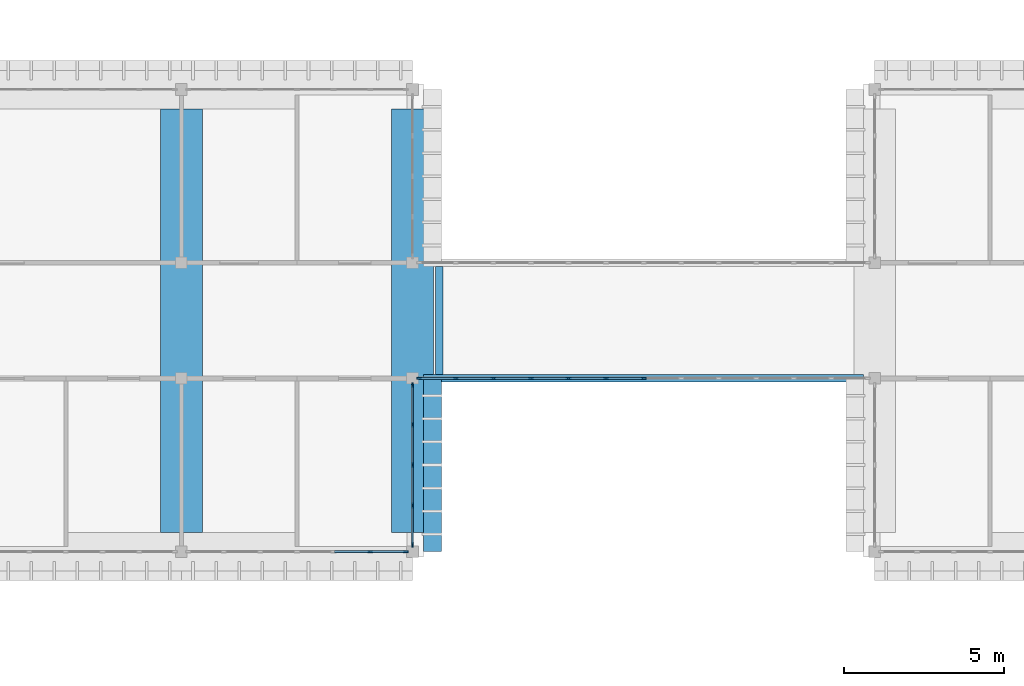
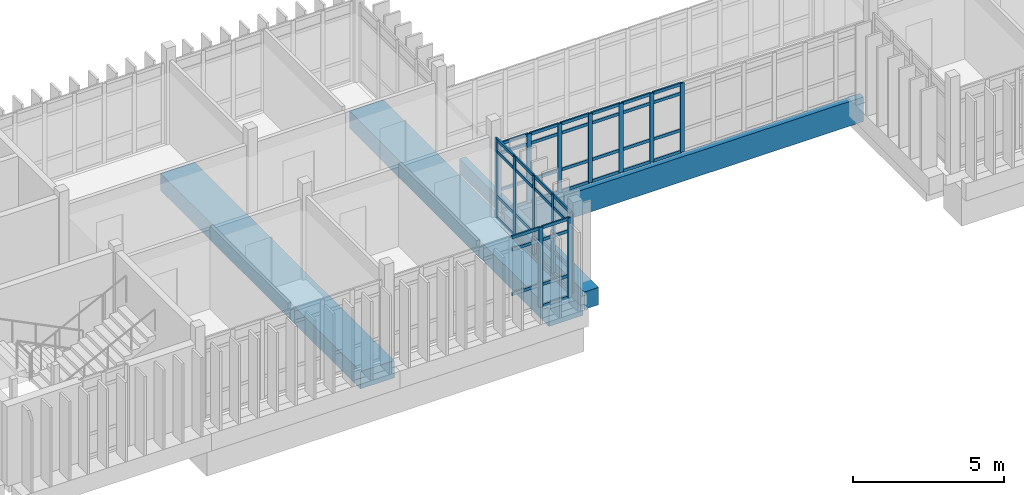
# One storey, part 12 of 69: 62 members, 4 beams, 3 elements without a shape of their own.
"""IFC4 building model written with IfcOpenShell, lengths in metres."""

from ifc_helpers import new_model, si_unit, direction, frame, origin, origin_2d, place, context, subcontext, project, spatial, rectangle, extrude, material, layer, layer_set, material_profile, profile_set, type_object, element, aggregate, save


model = new_model("IFC4")

# Units and contexts
model_context = context("Model", 3, precision=1e-05, world=origin(), true_north=direction((0.0, 1.0)))
body_context = subcontext(model_context, "Body", "Model", "MODEL_VIEW")
ifc_project = project(units=[si_unit("LENGTHUNIT", "METRE"), si_unit("AREAUNIT", "SQUARE_METRE"), si_unit("VOLUMEUNIT", "CUBIC_METRE"), si_unit("PLANEANGLEUNIT", "RADIAN"), si_unit("MASSUNIT", "GRAM", prefix="KILO")], contexts=[model_context])

# Site, building, storey
site_placement = place(None, origin())
site = spatial("IfcSite", under=ifc_project, at=site_placement, CompositionType="ELEMENT")
building_placement = place(site_placement, origin())
building = spatial("IfcBuilding", under=site, at=building_placement, Name="Mazhai Court Health Centre", CompositionType="ELEMENT")
storey_placement = place(building_placement, frame((0.0, 0.0, 6.300048828125)))
storey = spatial("IfcBuildingStorey", under=building, at=storey_placement, Name="L01", CompositionType="ELEMENT", Elevation=6.300048828125)

# Curtain wall, members
ifc_material_1 = material(Name="Teak timber frame, glazed", Category="wood")
ifc_layer = layer(ifc_material_1, 0.10009765625)
ifc_layer_set = layer_set([ifc_layer], Name="CURTAIN WALL TIMBER 1200")
curtain_wall_type = type_object("IfcCurtainWallType", Name="CURTAIN WALL TIMBER 1200", PredefinedType="NOTDEFINED", material=ifc_layer_set)
curtain_wall_1_placement = place(storey_placement, origin())
curtain_wall_1 = element("IfcCurtainWall", 1, at=curtain_wall_1_placement, inside=storey, type_object=curtain_wall_type, Name="CW-V4-L01-A2", PredefinedType="NOTDEFINED")
ifc_material_2 = material(Name="Teak timber", Category="wood")
ifc_material_profile_1 = material_profile(ifc_material_2, rectangle(XDim=0.06005859375, YDim=0.159912109375, at=origin_2d()), Name="CW MULLION 60x160")
ifc_profile_set_1 = profile_set([ifc_material_profile_1], Name="Teak timber")
member_type_1 = type_object("IfcMemberType", Name="CW MULLION 60x160", PredefinedType="MULLION", material=ifc_profile_set_1)
member_1_placement = place(storey_placement, frame((92.389892578125, 13.39990234375, 0.0), z_axis=(0.0, 0.0, 1.0), x_axis=(0.0, -1.0, 0.0)))
member_1 = element("IfcMember", 2, at=member_1_placement, type_object=member_type_1, Name="CW mullion 1", PredefinedType="MULLION", context=body_context, shape_type="SweptSolid", body=[
    extrude(rectangle(XDim=0.06005859375, YDim=0.159912109375, at=origin_2d()), origin(), (0.0, 0.0, 1.0), 3.219970703125),
])
member_2_placement = place(storey_placement, frame((91.280029296875, 13.39990234375, 0.0), z_axis=(0.0, 0.0, 1.0), x_axis=(0.0, -1.0, 0.0)))
member_2 = element("IfcMember", 3, at=member_2_placement, type_object=member_type_1, Name="CW mullion 2", PredefinedType="MULLION", context=body_context, shape_type="SweptSolid", body=[
    extrude(rectangle(XDim=0.06005859375, YDim=0.159912109375, at=origin_2d()), origin(), (0.0, 0.0, 1.0), 3.219970703125),
])

curtain_wall_2_placement = place(storey_placement, origin())
curtain_wall_2 = element("IfcCurtainWall", 4, at=curtain_wall_2_placement, inside=storey, type_object=curtain_wall_type, Name="CW-V4-L01-CE2-0", PredefinedType="NOTDEFINED")
member_3_placement = place(storey_placement, frame((92.60009765625, 18.590087890625, 0.0), z_axis=(0.0, 0.0, 1.0), x_axis=(1.0, 0.0, 0.0)))
member_3 = element("IfcMember", 5, at=member_3_placement, type_object=member_type_1, Name="CW mullion 1", PredefinedType="MULLION", context=body_context, shape_type="SweptSolid", body=[
    extrude(rectangle(XDim=0.06005859375, YDim=0.159912109375, at=origin_2d()), origin(), (0.0, 0.0, 1.0), 3.199951171875),
])
member_4_placement = place(storey_placement, frame((92.60009765625, 17.360107421875, 0.0), z_axis=(0.0, 0.0, 1.0), x_axis=(1.0, 0.0, 0.0)))
member_4 = element("IfcMember", 6, at=member_4_placement, type_object=member_type_1, Name="CW mullion 2", PredefinedType="MULLION", context=body_context, shape_type="SweptSolid", body=[
    extrude(rectangle(XDim=0.06005859375, YDim=0.159912109375, at=origin_2d()), origin(), (0.0, 0.0, 1.0), 3.199951171875),
])
member_5_placement = place(storey_placement, frame((92.60009765625, 16.10009765625, 0.0), z_axis=(0.0, 0.0, 1.0), x_axis=(1.0, 0.0, 0.0)))
member_5 = element("IfcMember", 7, at=member_5_placement, type_object=member_type_1, Name="CW mullion 3", PredefinedType="MULLION", context=body_context, shape_type="SweptSolid", body=[
    extrude(rectangle(XDim=0.06005859375, YDim=0.159912109375, at=origin_2d()), origin(), (0.0, 0.0, 1.0), 3.199951171875),
])
member_6_placement = place(storey_placement, frame((92.60009765625, 14.840087890625, 0.0), z_axis=(0.0, 0.0, 1.0), x_axis=(1.0, 0.0, 0.0)))
member_6 = element("IfcMember", 8, at=member_6_placement, type_object=member_type_1, Name="CW mullion 4", PredefinedType="MULLION", context=body_context, shape_type="SweptSolid", body=[
    extrude(rectangle(XDim=0.06005859375, YDim=0.159912109375, at=origin_2d()), origin(), (0.0, 0.0, 1.0), 3.199951171875),
])
member_7_placement = place(storey_placement, frame((92.60009765625, 13.610107421875, 0.0), z_axis=(0.0, 0.0, 1.0), x_axis=(1.0, 0.0, 0.0)))
member_7 = element("IfcMember", 9, at=member_7_placement, type_object=member_type_1, Name="CW mullion 5", PredefinedType="MULLION", context=body_context, shape_type="SweptSolid", body=[
    extrude(rectangle(XDim=0.06005859375, YDim=0.159912109375, at=origin_2d()), origin(), (0.0, 0.0, 1.0), 3.199951171875),
])

curtain_wall_3_placement = place(storey_placement, origin())
curtain_wall_3 = element("IfcCurtainWall", 10, at=curtain_wall_3_placement, inside=storey, type_object=curtain_wall_type, Name="CW-BR-LC1-S", PredefinedType="NOTDEFINED")
member_8_placement = place(storey_placement, frame((92.81005859375, 18.800048828125, 0.0), z_axis=(0.0, 0.0, 1.0), x_axis=(0.0, 1.0, 0.0)))
member_8 = element("IfcMember", 11, at=member_8_placement, type_object=member_type_1, Name="CW mullion 1", PredefinedType="MULLION", context=body_context, shape_type="SweptSolid", body=[
    extrude(rectangle(XDim=0.06005859375, YDim=0.159912109375, at=origin_2d()), origin(), (0.0, 0.0, 1.0), 2.780029296875),
])
member_9_placement = place(storey_placement, frame((93.949951171875, 18.800048828125, 0.0), z_axis=(0.0, 0.0, 1.0), x_axis=(0.0, 1.0, 0.0)))
member_9 = element("IfcMember", 12, at=member_9_placement, type_object=member_type_1, Name="CW mullion 2", PredefinedType="MULLION", context=body_context, shape_type="SweptSolid", body=[
    extrude(rectangle(XDim=0.06005859375, YDim=0.159912109375, at=origin_2d()), origin(), (0.0, 0.0, 1.0), 2.780029296875),
])
member_10_placement = place(storey_placement, frame((95.1201171875, 18.800048828125, 0.0), z_axis=(0.0, 0.0, 1.0), x_axis=(0.0, 1.0, 0.0)))
member_10 = element("IfcMember", 13, at=member_10_placement, type_object=member_type_1, Name="CW mullion 3", PredefinedType="MULLION", context=body_context, shape_type="SweptSolid", body=[
    extrude(rectangle(XDim=0.06005859375, YDim=0.159912109375, at=origin_2d()), origin(), (0.0, 0.0, 1.0), 2.780029296875),
])
member_11_placement = place(storey_placement, frame((96.2900390625, 18.800048828125, 0.0), z_axis=(0.0, 0.0, 1.0), x_axis=(0.0, 1.0, 0.0)))
member_11 = element("IfcMember", 14, at=member_11_placement, type_object=member_type_1, Name="CW mullion 4", PredefinedType="MULLION", context=body_context, shape_type="SweptSolid", body=[
    extrude(rectangle(XDim=0.06005859375, YDim=0.159912109375, at=origin_2d()), origin(), (0.0, 0.0, 1.0), 2.780029296875),
])
member_12_placement = place(storey_placement, frame((97.4599609375, 18.800048828125, 0.0), z_axis=(0.0, 0.0, 1.0), x_axis=(0.0, 1.0, 0.0)))
member_12 = element("IfcMember", 15, at=member_12_placement, type_object=member_type_1, Name="CW mullion 5", PredefinedType="MULLION", context=body_context, shape_type="SweptSolid", body=[
    extrude(rectangle(XDim=0.06005859375, YDim=0.159912109375, at=origin_2d()), origin(), (0.0, 0.0, 1.0), 2.780029296875),
])
member_13_placement = place(storey_placement, frame((98.6298828125, 18.800048828125, 0.0), z_axis=(0.0, 0.0, 1.0), x_axis=(0.0, 1.0, 0.0)))
member_13 = element("IfcMember", 16, at=member_13_placement, type_object=member_type_1, Name="CW mullion 6", PredefinedType="MULLION", context=body_context, shape_type="SweptSolid", body=[
    extrude(rectangle(XDim=0.06005859375, YDim=0.159912109375, at=origin_2d()), origin(), (0.0, 0.0, 1.0), 2.780029296875),
])
member_14_placement = place(storey_placement, frame((99.800048828125, 18.800048828125, 0.0), z_axis=(0.0, 0.0, 1.0), x_axis=(0.0, 1.0, 0.0)))
member_14 = element("IfcMember", 17, at=member_14_placement, type_object=member_type_1, Name="CW mullion 7", PredefinedType="MULLION", context=body_context, shape_type="SweptSolid", body=[
    extrude(rectangle(XDim=0.06005859375, YDim=0.159912109375, at=origin_2d()), origin(), (0.0, 0.0, 1.0), 2.780029296875),
])

# Member
ifc_material_3 = material(Name="Teak timber", Category="wood")
ifc_material_profile_2 = material_profile(ifc_material_3, rectangle(XDim=0.06005859375, YDim=0.1201171875, at=origin_2d()), Name="CW TRANSOM 60x120")
ifc_profile_set_2 = profile_set([ifc_material_profile_2], Name="Teak timber")
member_type_2 = type_object("IfcMemberType", Name="CW TRANSOM 60x120", PredefinedType="USERDEFINED", material=ifc_profile_set_2)
member_15_placement = place(storey_placement, frame((92.360107421875, 13.39990234375, 0.030029296875), z_axis=(-1.0, 0.0, 0.0), x_axis=(0.0, -1.0, 0.0)))
member_15 = element("IfcMember", 18, at=member_15_placement, type_object=member_type_2, Name="CW transom 1.1", ObjectType="TRANSOM", PredefinedType="USERDEFINED", context=body_context, shape_type="SweptSolid", body=[
    extrude(rectangle(XDim=0.06005859375, YDim=0.1201171875, at=origin_2d()), origin(), (0.0, 0.0, 1.0), 1.050048828125),
])

member_16_placement = place(storey_placement, frame((92.360107421875, 13.39990234375, 0.89990234375), z_axis=(-1.0, 0.0, 0.0), x_axis=(0.0, -1.0, 0.0)))
member_16 = element("IfcMember", 19, at=member_16_placement, type_object=member_type_2, Name="CW transom 1.2", ObjectType="TRANSOM", PredefinedType="USERDEFINED", context=body_context, shape_type="SweptSolid", body=[
    extrude(rectangle(XDim=0.06005859375, YDim=0.1201171875, at=origin_2d()), origin(), (0.0, 0.0, 1.0), 1.050048828125),
])

member_17_placement = place(storey_placement, frame((92.360107421875, 13.39990234375, 2.699951171875), z_axis=(-1.0, 0.0, 0.0), x_axis=(0.0, -1.0, 0.0)))
member_17 = element("IfcMember", 20, at=member_17_placement, type_object=member_type_2, Name="CW transom 1.3", ObjectType="TRANSOM", PredefinedType="USERDEFINED", context=body_context, shape_type="SweptSolid", body=[
    extrude(rectangle(XDim=0.06005859375, YDim=0.1201171875, at=origin_2d()), origin(), (0.0, 0.0, 1.0), 1.050048828125),
])

member_18_placement = place(storey_placement, frame((92.360107421875, 13.39990234375, 3.18994140625), z_axis=(-1.0, 0.0, 0.0), x_axis=(0.0, -1.0, 0.0)))
member_18 = element("IfcMember", 21, at=member_18_placement, type_object=member_type_2, Name="CW transom 1.4", ObjectType="TRANSOM", PredefinedType="USERDEFINED", context=body_context, shape_type="SweptSolid", body=[
    extrude(rectangle(XDim=0.06005859375, YDim=0.1201171875, at=origin_2d()), origin(), (0.0, 0.0, 1.0), 1.050048828125),
])

member_19_placement = place(storey_placement, frame((91.25, 13.39990234375, 0.89990234375), z_axis=(-1.0, 0.0, 0.0), x_axis=(0.0, -1.0, 0.0)))
member_19 = element("IfcMember", 22, at=member_19_placement, type_object=member_type_2, Name="CW transom 2.2", ObjectType="TRANSOM", PredefinedType="USERDEFINED", context=body_context, shape_type="SweptSolid", body=[
    extrude(rectangle(XDim=0.06005859375, YDim=0.1201171875, at=origin_2d()), origin(), (0.0, 0.0, 1.0), 1.080078125),
])

member_20_placement = place(storey_placement, frame((91.25, 13.39990234375, 2.699951171875), z_axis=(-1.0, 0.0, 0.0), x_axis=(0.0, -1.0, 0.0)))
member_20 = element("IfcMember", 23, at=member_20_placement, type_object=member_type_2, Name="CW transom 2.3", ObjectType="TRANSOM", PredefinedType="USERDEFINED", context=body_context, shape_type="SweptSolid", body=[
    extrude(rectangle(XDim=0.06005859375, YDim=0.1201171875, at=origin_2d()), origin(), (0.0, 0.0, 1.0), 1.080078125),
])

member_21_placement = place(storey_placement, frame((91.25, 13.39990234375, 3.18994140625), z_axis=(-1.0, 0.0, 0.0), x_axis=(0.0, -1.0, 0.0)))
member_21 = element("IfcMember", 24, at=member_21_placement, type_object=member_type_2, Name="CW transom 2.4", ObjectType="TRANSOM", PredefinedType="USERDEFINED", context=body_context, shape_type="SweptSolid", body=[
    extrude(rectangle(XDim=0.06005859375, YDim=0.1201171875, at=origin_2d()), origin(), (0.0, 0.0, 1.0), 1.080078125),
])

aggregate(curtain_wall_1, [member_1, member_2, member_15, member_16, member_17, member_18, member_19, member_20, member_21])

member_22_placement = place(storey_placement, frame((92.60009765625, 18.56005859375, 0.030029296875), z_axis=(0.0, -1.0, 0.0), x_axis=(1.0, 0.0, 0.0)))
member_22 = element("IfcMember", 25, at=member_22_placement, type_object=member_type_2, Name="CW transom 1.1", ObjectType="TRANSOM", PredefinedType="USERDEFINED", context=body_context, shape_type="SweptSolid", body=[
    extrude(rectangle(XDim=0.06005859375, YDim=0.1201171875, at=origin_2d()), origin(), (0.0, 0.0, 1.0), 1.170166015625),
])

member_23_placement = place(storey_placement, frame((92.60009765625, 18.56005859375, 0.89990234375), z_axis=(0.0, -1.0, 0.0), x_axis=(1.0, 0.0, 0.0)))
member_23 = element("IfcMember", 26, at=member_23_placement, type_object=member_type_2, Name="CW transom 1.2", ObjectType="TRANSOM", PredefinedType="USERDEFINED", context=body_context, shape_type="SweptSolid", body=[
    extrude(rectangle(XDim=0.06005859375, YDim=0.1201171875, at=origin_2d()), origin(), (0.0, 0.0, 1.0), 1.170166015625),
])

member_24_placement = place(storey_placement, frame((92.60009765625, 18.56005859375, 2.699951171875), z_axis=(0.0, -1.0, 0.0), x_axis=(1.0, 0.0, 0.0)))
member_24 = element("IfcMember", 27, at=member_24_placement, type_object=member_type_2, Name="CW transom 1.3", ObjectType="TRANSOM", PredefinedType="USERDEFINED", context=body_context, shape_type="SweptSolid", body=[
    extrude(rectangle(XDim=0.06005859375, YDim=0.1201171875, at=origin_2d()), origin(), (0.0, 0.0, 1.0), 1.170166015625),
])

member_25_placement = place(storey_placement, frame((92.60009765625, 18.56005859375, 3.169921875), z_axis=(0.0, -1.0, 0.0), x_axis=(1.0, 0.0, 0.0)))
member_25 = element("IfcMember", 28, at=member_25_placement, type_object=member_type_2, Name="CW transom 1.4", ObjectType="TRANSOM", PredefinedType="USERDEFINED", context=body_context, shape_type="SweptSolid", body=[
    extrude(rectangle(XDim=0.06005859375, YDim=0.1201171875, at=origin_2d()), origin(), (0.0, 0.0, 1.0), 1.170166015625),
])

member_26_placement = place(storey_placement, frame((92.60009765625, 17.330078125, 0.030029296875), z_axis=(0.0, -1.0, 0.0), x_axis=(1.0, 0.0, 0.0)))
member_26 = element("IfcMember", 29, at=member_26_placement, type_object=member_type_2, Name="CW transom 2.1", ObjectType="TRANSOM", PredefinedType="USERDEFINED", context=body_context, shape_type="SweptSolid", body=[
    extrude(rectangle(XDim=0.06005859375, YDim=0.1201171875, at=origin_2d()), origin(), (0.0, 0.0, 1.0), 1.2001953125),
])

member_27_placement = place(storey_placement, frame((92.60009765625, 17.330078125, 0.89990234375), z_axis=(0.0, -1.0, 0.0), x_axis=(1.0, 0.0, 0.0)))
member_27 = element("IfcMember", 30, at=member_27_placement, type_object=member_type_2, Name="CW transom 2.2", ObjectType="TRANSOM", PredefinedType="USERDEFINED", context=body_context, shape_type="SweptSolid", body=[
    extrude(rectangle(XDim=0.06005859375, YDim=0.1201171875, at=origin_2d()), origin(), (0.0, 0.0, 1.0), 1.2001953125),
])

member_28_placement = place(storey_placement, frame((92.60009765625, 17.330078125, 2.699951171875), z_axis=(0.0, -1.0, 0.0), x_axis=(1.0, 0.0, 0.0)))
member_28 = element("IfcMember", 31, at=member_28_placement, type_object=member_type_2, Name="CW transom 2.3", ObjectType="TRANSOM", PredefinedType="USERDEFINED", context=body_context, shape_type="SweptSolid", body=[
    extrude(rectangle(XDim=0.06005859375, YDim=0.1201171875, at=origin_2d()), origin(), (0.0, 0.0, 1.0), 1.2001953125),
])

member_29_placement = place(storey_placement, frame((92.60009765625, 17.330078125, 3.169921875), z_axis=(0.0, -1.0, 0.0), x_axis=(1.0, 0.0, 0.0)))
member_29 = element("IfcMember", 32, at=member_29_placement, type_object=member_type_2, Name="CW transom 2.4", ObjectType="TRANSOM", PredefinedType="USERDEFINED", context=body_context, shape_type="SweptSolid", body=[
    extrude(rectangle(XDim=0.06005859375, YDim=0.1201171875, at=origin_2d()), origin(), (0.0, 0.0, 1.0), 1.2001953125),
])

member_30_placement = place(storey_placement, frame((92.60009765625, 16.070068359375, 0.030029296875), z_axis=(0.0, -1.0, 0.0), x_axis=(1.0, 0.0, 0.0)))
member_30 = element("IfcMember", 33, at=member_30_placement, type_object=member_type_2, Name="CW transom 3.1", ObjectType="TRANSOM", PredefinedType="USERDEFINED", context=body_context, shape_type="SweptSolid", body=[
    extrude(rectangle(XDim=0.06005859375, YDim=0.1201171875, at=origin_2d()), origin(), (0.0, 0.0, 1.0), 1.199951171875),
])

member_31_placement = place(storey_placement, frame((92.60009765625, 16.070068359375, 0.89990234375), z_axis=(0.0, -1.0, 0.0), x_axis=(1.0, 0.0, 0.0)))
member_31 = element("IfcMember", 34, at=member_31_placement, type_object=member_type_2, Name="CW transom 3.2", ObjectType="TRANSOM", PredefinedType="USERDEFINED", context=body_context, shape_type="SweptSolid", body=[
    extrude(rectangle(XDim=0.06005859375, YDim=0.1201171875, at=origin_2d()), origin(), (0.0, 0.0, 1.0), 1.199951171875),
])

member_32_placement = place(storey_placement, frame((92.60009765625, 16.070068359375, 2.699951171875), z_axis=(0.0, -1.0, 0.0), x_axis=(1.0, 0.0, 0.0)))
member_32 = element("IfcMember", 35, at=member_32_placement, type_object=member_type_2, Name="CW transom 3.3", ObjectType="TRANSOM", PredefinedType="USERDEFINED", context=body_context, shape_type="SweptSolid", body=[
    extrude(rectangle(XDim=0.06005859375, YDim=0.1201171875, at=origin_2d()), origin(), (0.0, 0.0, 1.0), 1.199951171875),
])

member_33_placement = place(storey_placement, frame((92.60009765625, 16.070068359375, 3.169921875), z_axis=(0.0, -1.0, 0.0), x_axis=(1.0, 0.0, 0.0)))
member_33 = element("IfcMember", 36, at=member_33_placement, type_object=member_type_2, Name="CW transom 3.4", ObjectType="TRANSOM", PredefinedType="USERDEFINED", context=body_context, shape_type="SweptSolid", body=[
    extrude(rectangle(XDim=0.06005859375, YDim=0.1201171875, at=origin_2d()), origin(), (0.0, 0.0, 1.0), 1.199951171875),
])

member_34_placement = place(storey_placement, frame((92.60009765625, 14.81005859375, 0.030029296875), z_axis=(0.0, -1.0, 0.0), x_axis=(1.0, 0.0, 0.0)))
member_34 = element("IfcMember", 37, at=member_34_placement, type_object=member_type_2, Name="CW transom 4.1", ObjectType="TRANSOM", PredefinedType="USERDEFINED", context=body_context, shape_type="SweptSolid", body=[
    extrude(rectangle(XDim=0.06005859375, YDim=0.1201171875, at=origin_2d()), origin(), (0.0, 0.0, 1.0), 1.170166015625),
])

member_35_placement = place(storey_placement, frame((92.60009765625, 14.81005859375, 0.89990234375), z_axis=(0.0, -1.0, 0.0), x_axis=(1.0, 0.0, 0.0)))
member_35 = element("IfcMember", 38, at=member_35_placement, type_object=member_type_2, Name="CW transom 4.2", ObjectType="TRANSOM", PredefinedType="USERDEFINED", context=body_context, shape_type="SweptSolid", body=[
    extrude(rectangle(XDim=0.06005859375, YDim=0.1201171875, at=origin_2d()), origin(), (0.0, 0.0, 1.0), 1.170166015625),
])

member_36_placement = place(storey_placement, frame((92.60009765625, 14.81005859375, 2.699951171875), z_axis=(0.0, -1.0, 0.0), x_axis=(1.0, 0.0, 0.0)))
member_36 = element("IfcMember", 39, at=member_36_placement, type_object=member_type_2, Name="CW transom 4.3", ObjectType="TRANSOM", PredefinedType="USERDEFINED", context=body_context, shape_type="SweptSolid", body=[
    extrude(rectangle(XDim=0.06005859375, YDim=0.1201171875, at=origin_2d()), origin(), (0.0, 0.0, 1.0), 1.170166015625),
])

member_37_placement = place(storey_placement, frame((92.60009765625, 14.81005859375, 3.169921875), z_axis=(0.0, -1.0, 0.0), x_axis=(1.0, 0.0, 0.0)))
member_37 = element("IfcMember", 40, at=member_37_placement, type_object=member_type_2, Name="CW transom 4.4", ObjectType="TRANSOM", PredefinedType="USERDEFINED", context=body_context, shape_type="SweptSolid", body=[
    extrude(rectangle(XDim=0.06005859375, YDim=0.1201171875, at=origin_2d()), origin(), (0.0, 0.0, 1.0), 1.170166015625),
])

aggregate(curtain_wall_2, [member_3, member_4, member_5, member_6, member_7, member_22, member_23, member_24, member_25, member_26, member_27, member_28, member_29, member_30, member_31, member_32, member_33, member_34, member_35, member_36, member_37])

member_38_placement = place(storey_placement, frame((92.840087890625, 18.800048828125, 0.030029296875), z_axis=(1.0, 0.0, 0.0), x_axis=(0.0, 1.0, 0.0)))
member_38 = element("IfcMember", 41, at=member_38_placement, type_object=member_type_2, Name="CW transom 1.1", ObjectType="TRANSOM", PredefinedType="USERDEFINED", context=body_context, shape_type="SweptSolid", body=[
    extrude(rectangle(XDim=0.06005859375, YDim=0.1201171875, at=origin_2d()), origin(), (0.0, 0.0, 1.0), 1.079833984375),
])

member_39_placement = place(storey_placement, frame((92.840087890625, 18.800048828125, 0.89990234375), z_axis=(1.0, 0.0, 0.0), x_axis=(0.0, 1.0, 0.0)))
member_39 = element("IfcMember", 42, at=member_39_placement, type_object=member_type_2, Name="CW transom 1.2", ObjectType="TRANSOM", PredefinedType="USERDEFINED", context=body_context, shape_type="SweptSolid", body=[
    extrude(rectangle(XDim=0.06005859375, YDim=0.1201171875, at=origin_2d()), origin(), (0.0, 0.0, 1.0), 1.079833984375),
])

member_40_placement = place(storey_placement, frame((92.840087890625, 18.800048828125, 2.3798828125), z_axis=(1.0, 0.0, 0.0), x_axis=(0.0, 1.0, 0.0)))
member_40 = element("IfcMember", 43, at=member_40_placement, type_object=member_type_2, Name="CW transom 1.3", ObjectType="TRANSOM", PredefinedType="USERDEFINED", context=body_context, shape_type="SweptSolid", body=[
    extrude(rectangle(XDim=0.06005859375, YDim=0.1201171875, at=origin_2d()), origin(), (0.0, 0.0, 1.0), 1.079833984375),
])

member_41_placement = place(storey_placement, frame((92.840087890625, 18.800048828125, 2.75), z_axis=(1.0, 0.0, 0.0), x_axis=(0.0, 1.0, 0.0)))
member_41 = element("IfcMember", 44, at=member_41_placement, type_object=member_type_2, Name="CW transom 1.4", ObjectType="TRANSOM", PredefinedType="USERDEFINED", context=body_context, shape_type="SweptSolid", body=[
    extrude(rectangle(XDim=0.06005859375, YDim=0.1201171875, at=origin_2d()), origin(), (0.0, 0.0, 1.0), 1.079833984375),
])

member_42_placement = place(storey_placement, frame((93.97998046875, 18.800048828125, 0.030029296875), z_axis=(1.0, 0.0, 0.0), x_axis=(0.0, 1.0, 0.0)))
member_42 = element("IfcMember", 45, at=member_42_placement, type_object=member_type_2, Name="CW transom 2.1", ObjectType="TRANSOM", PredefinedType="USERDEFINED", context=body_context, shape_type="SweptSolid", body=[
    extrude(rectangle(XDim=0.06005859375, YDim=0.1201171875, at=origin_2d()), origin(), (0.0, 0.0, 1.0), 1.110107421875),
])

member_43_placement = place(storey_placement, frame((93.97998046875, 18.800048828125, 0.89990234375), z_axis=(1.0, 0.0, 0.0), x_axis=(0.0, 1.0, 0.0)))
member_43 = element("IfcMember", 46, at=member_43_placement, type_object=member_type_2, Name="CW transom 2.2", ObjectType="TRANSOM", PredefinedType="USERDEFINED", context=body_context, shape_type="SweptSolid", body=[
    extrude(rectangle(XDim=0.06005859375, YDim=0.1201171875, at=origin_2d()), origin(), (0.0, 0.0, 1.0), 1.110107421875),
])

member_44_placement = place(storey_placement, frame((93.97998046875, 18.800048828125, 2.3798828125), z_axis=(1.0, 0.0, 0.0), x_axis=(0.0, 1.0, 0.0)))
member_44 = element("IfcMember", 47, at=member_44_placement, type_object=member_type_2, Name="CW transom 2.3", ObjectType="TRANSOM", PredefinedType="USERDEFINED", context=body_context, shape_type="SweptSolid", body=[
    extrude(rectangle(XDim=0.06005859375, YDim=0.1201171875, at=origin_2d()), origin(), (0.0, 0.0, 1.0), 1.110107421875),
])

member_45_placement = place(storey_placement, frame((93.97998046875, 18.800048828125, 2.75), z_axis=(1.0, 0.0, 0.0), x_axis=(0.0, 1.0, 0.0)))
member_45 = element("IfcMember", 48, at=member_45_placement, type_object=member_type_2, Name="CW transom 2.4", ObjectType="TRANSOM", PredefinedType="USERDEFINED", context=body_context, shape_type="SweptSolid", body=[
    extrude(rectangle(XDim=0.06005859375, YDim=0.1201171875, at=origin_2d()), origin(), (0.0, 0.0, 1.0), 1.110107421875),
])

member_46_placement = place(storey_placement, frame((95.14990234375, 18.800048828125, 0.030029296875), z_axis=(1.0, 0.0, 0.0), x_axis=(0.0, 1.0, 0.0)))
member_46 = element("IfcMember", 49, at=member_46_placement, type_object=member_type_2, Name="CW transom 3.1", ObjectType="TRANSOM", PredefinedType="USERDEFINED", context=body_context, shape_type="SweptSolid", body=[
    extrude(rectangle(XDim=0.06005859375, YDim=0.1201171875, at=origin_2d()), origin(), (0.0, 0.0, 1.0), 1.110107421875),
])

member_47_placement = place(storey_placement, frame((95.14990234375, 18.800048828125, 0.89990234375), z_axis=(1.0, 0.0, 0.0), x_axis=(0.0, 1.0, 0.0)))
member_47 = element("IfcMember", 50, at=member_47_placement, type_object=member_type_2, Name="CW transom 3.2", ObjectType="TRANSOM", PredefinedType="USERDEFINED", context=body_context, shape_type="SweptSolid", body=[
    extrude(rectangle(XDim=0.06005859375, YDim=0.1201171875, at=origin_2d()), origin(), (0.0, 0.0, 1.0), 1.110107421875),
])

member_48_placement = place(storey_placement, frame((95.14990234375, 18.800048828125, 2.3798828125), z_axis=(1.0, 0.0, 0.0), x_axis=(0.0, 1.0, 0.0)))
member_48 = element("IfcMember", 51, at=member_48_placement, type_object=member_type_2, Name="CW transom 3.3", ObjectType="TRANSOM", PredefinedType="USERDEFINED", context=body_context, shape_type="SweptSolid", body=[
    extrude(rectangle(XDim=0.06005859375, YDim=0.1201171875, at=origin_2d()), origin(), (0.0, 0.0, 1.0), 1.110107421875),
])

member_49_placement = place(storey_placement, frame((95.14990234375, 18.800048828125, 2.75), z_axis=(1.0, 0.0, 0.0), x_axis=(0.0, 1.0, 0.0)))
member_49 = element("IfcMember", 52, at=member_49_placement, type_object=member_type_2, Name="CW transom 3.4", ObjectType="TRANSOM", PredefinedType="USERDEFINED", context=body_context, shape_type="SweptSolid", body=[
    extrude(rectangle(XDim=0.06005859375, YDim=0.1201171875, at=origin_2d()), origin(), (0.0, 0.0, 1.0), 1.110107421875),
])

member_50_placement = place(storey_placement, frame((96.320068359375, 18.800048828125, 0.030029296875), z_axis=(1.0, 0.0, 0.0), x_axis=(0.0, 1.0, 0.0)))
member_50 = element("IfcMember", 53, at=member_50_placement, type_object=member_type_2, Name="CW transom 4.1", ObjectType="TRANSOM", PredefinedType="USERDEFINED", context=body_context, shape_type="SweptSolid", body=[
    extrude(rectangle(XDim=0.06005859375, YDim=0.1201171875, at=origin_2d()), origin(), (0.0, 0.0, 1.0), 1.10986328125),
])

member_51_placement = place(storey_placement, frame((96.320068359375, 18.800048828125, 0.89990234375), z_axis=(1.0, 0.0, 0.0), x_axis=(0.0, 1.0, 0.0)))
member_51 = element("IfcMember", 54, at=member_51_placement, type_object=member_type_2, Name="CW transom 4.2", ObjectType="TRANSOM", PredefinedType="USERDEFINED", context=body_context, shape_type="SweptSolid", body=[
    extrude(rectangle(XDim=0.06005859375, YDim=0.1201171875, at=origin_2d()), origin(), (0.0, 0.0, 1.0), 1.10986328125),
])

member_52_placement = place(storey_placement, frame((96.320068359375, 18.800048828125, 2.3798828125), z_axis=(1.0, 0.0, 0.0), x_axis=(0.0, 1.0, 0.0)))
member_52 = element("IfcMember", 55, at=member_52_placement, type_object=member_type_2, Name="CW transom 4.3", ObjectType="TRANSOM", PredefinedType="USERDEFINED", context=body_context, shape_type="SweptSolid", body=[
    extrude(rectangle(XDim=0.06005859375, YDim=0.1201171875, at=origin_2d()), origin(), (0.0, 0.0, 1.0), 1.10986328125),
])

member_53_placement = place(storey_placement, frame((96.320068359375, 18.800048828125, 2.75), z_axis=(1.0, 0.0, 0.0), x_axis=(0.0, 1.0, 0.0)))
member_53 = element("IfcMember", 56, at=member_53_placement, type_object=member_type_2, Name="CW transom 4.4", ObjectType="TRANSOM", PredefinedType="USERDEFINED", context=body_context, shape_type="SweptSolid", body=[
    extrude(rectangle(XDim=0.06005859375, YDim=0.1201171875, at=origin_2d()), origin(), (0.0, 0.0, 1.0), 1.10986328125),
])

member_54_placement = place(storey_placement, frame((97.489990234375, 18.800048828125, 0.030029296875), z_axis=(1.0, 0.0, 0.0), x_axis=(0.0, 1.0, 0.0)))
member_54 = element("IfcMember", 57, at=member_54_placement, type_object=member_type_2, Name="CW transom 5.1", ObjectType="TRANSOM", PredefinedType="USERDEFINED", context=body_context, shape_type="SweptSolid", body=[
    extrude(rectangle(XDim=0.06005859375, YDim=0.1201171875, at=origin_2d()), origin(), (0.0, 0.0, 1.0), 1.110107421875),
])

member_55_placement = place(storey_placement, frame((97.489990234375, 18.800048828125, 0.89990234375), z_axis=(1.0, 0.0, 0.0), x_axis=(0.0, 1.0, 0.0)))
member_55 = element("IfcMember", 58, at=member_55_placement, type_object=member_type_2, Name="CW transom 5.2", ObjectType="TRANSOM", PredefinedType="USERDEFINED", context=body_context, shape_type="SweptSolid", body=[
    extrude(rectangle(XDim=0.06005859375, YDim=0.1201171875, at=origin_2d()), origin(), (0.0, 0.0, 1.0), 1.110107421875),
])

member_56_placement = place(storey_placement, frame((97.489990234375, 18.800048828125, 2.3798828125), z_axis=(1.0, 0.0, 0.0), x_axis=(0.0, 1.0, 0.0)))
member_56 = element("IfcMember", 59, at=member_56_placement, type_object=member_type_2, Name="CW transom 5.3", ObjectType="TRANSOM", PredefinedType="USERDEFINED", context=body_context, shape_type="SweptSolid", body=[
    extrude(rectangle(XDim=0.06005859375, YDim=0.1201171875, at=origin_2d()), origin(), (0.0, 0.0, 1.0), 1.110107421875),
])

member_57_placement = place(storey_placement, frame((97.489990234375, 18.800048828125, 2.75), z_axis=(1.0, 0.0, 0.0), x_axis=(0.0, 1.0, 0.0)))
member_57 = element("IfcMember", 60, at=member_57_placement, type_object=member_type_2, Name="CW transom 5.4", ObjectType="TRANSOM", PredefinedType="USERDEFINED", context=body_context, shape_type="SweptSolid", body=[
    extrude(rectangle(XDim=0.06005859375, YDim=0.1201171875, at=origin_2d()), origin(), (0.0, 0.0, 1.0), 1.110107421875),
])

member_58_placement = place(storey_placement, frame((98.659912109375, 18.800048828125, 0.030029296875), z_axis=(1.0, 0.0, 0.0), x_axis=(0.0, 1.0, 0.0)))
member_58 = element("IfcMember", 61, at=member_58_placement, type_object=member_type_2, Name="CW transom 6.1", ObjectType="TRANSOM", PredefinedType="USERDEFINED", context=body_context, shape_type="SweptSolid", body=[
    extrude(rectangle(XDim=0.06005859375, YDim=0.1201171875, at=origin_2d()), origin(), (0.0, 0.0, 1.0), 1.110107421875),
])

member_59_placement = place(storey_placement, frame((98.659912109375, 18.800048828125, 0.89990234375), z_axis=(1.0, 0.0, 0.0), x_axis=(0.0, 1.0, 0.0)))
member_59 = element("IfcMember", 62, at=member_59_placement, type_object=member_type_2, Name="CW transom 6.2", ObjectType="TRANSOM", PredefinedType="USERDEFINED", context=body_context, shape_type="SweptSolid", body=[
    extrude(rectangle(XDim=0.06005859375, YDim=0.1201171875, at=origin_2d()), origin(), (0.0, 0.0, 1.0), 1.110107421875),
])

member_60_placement = place(storey_placement, frame((98.659912109375, 18.800048828125, 2.3798828125), z_axis=(1.0, 0.0, 0.0), x_axis=(0.0, 1.0, 0.0)))
member_60 = element("IfcMember", 63, at=member_60_placement, type_object=member_type_2, Name="CW transom 6.3", ObjectType="TRANSOM", PredefinedType="USERDEFINED", context=body_context, shape_type="SweptSolid", body=[
    extrude(rectangle(XDim=0.06005859375, YDim=0.1201171875, at=origin_2d()), origin(), (0.0, 0.0, 1.0), 1.110107421875),
])

member_61_placement = place(storey_placement, frame((98.659912109375, 18.800048828125, 2.75), z_axis=(1.0, 0.0, 0.0), x_axis=(0.0, 1.0, 0.0)))
member_61 = element("IfcMember", 64, at=member_61_placement, type_object=member_type_2, Name="CW transom 6.4", ObjectType="TRANSOM", PredefinedType="USERDEFINED", context=body_context, shape_type="SweptSolid", body=[
    extrude(rectangle(XDim=0.06005859375, YDim=0.1201171875, at=origin_2d()), origin(), (0.0, 0.0, 1.0), 1.110107421875),
])

aggregate(curtain_wall_3, [member_8, member_9, member_10, member_11, member_12, member_13, member_14, member_38, member_39, member_40, member_41, member_42, member_43, member_44, member_45, member_46, member_47, member_48, member_49, member_50, member_51, member_52, member_53, member_54, member_55, member_56, member_57, member_58, member_59, member_60, member_61])

ifc_material_4 = material(Name="Glulam GL24h", Category="wood")
ifc_material_profile_3 = material_profile(ifc_material_4, rectangle(XDim=0.550048828125, YDim=0.699951171875, at=origin_2d()), Name="FIN RAIL 550x700")
ifc_profile_set_3 = profile_set([ifc_material_profile_3], Name="Glulam GL24h")
member_type_3 = type_object("IfcMemberType", Name="FIN RAIL 550x700", PredefinedType="USERDEFINED", material=ifc_profile_set_3)
member_62_placement = place(storey_placement, frame((93.22509765625, 18.800048828125, -0.35009765625), z_axis=(0.0, -1.0, 0.0), x_axis=(1.0, 0.0, 0.0)))
element("IfcMember", 65, at=member_62_placement, inside=storey, type_object=member_type_3, Name="FR-V4-CE2-0-L01", ObjectType="FIN RAIL", PredefinedType="USERDEFINED", context=body_context, shape_type="SweptSolid", body=[
    extrude(rectangle(XDim=0.550048828125, YDim=0.699951171875, at=origin_2d()), origin(), (0.0, 0.0, 1.0), 5.400146484375),
])

# Beams
ifc_material_5 = material(Name="Glulam GL28h", Category="wood")
ifc_material_profile_4 = material_profile(ifc_material_5, rectangle(XDim=0.239990234375, YDim=1.0, at=origin_2d()), Name="GL28h 240x1000")
ifc_profile_set_4 = profile_set([ifc_material_profile_4], Name="Glulam GL28h")
beam_type_1 = type_object("IfcBeamType", Name="GL28h 240x1000 girder", PredefinedType="BEAM", material=ifc_profile_set_4)
beam_1_placement = place(storey_placement, frame((92.949951171875, 18.800048828125, -0.6201171875), z_axis=(1.0, 0.0, 0.0), x_axis=(0.0, 1.0, 0.0)))
element("IfcBeam", 66, at=beam_1_placement, inside=storey, type_object=beam_type_1, Name="girder-BR-LC1-S", PredefinedType="BEAM", context=body_context, shape_type="SweptSolid", body=[
    extrude(rectangle(XDim=0.239990234375, YDim=1.0, at=origin_2d()), origin(), (0.0, 0.0, 1.0), 13.699951171875),
])
ifc_material_6 = material(Name="Glulam GL28h", Category="wood")
ifc_material_profile_5 = material_profile(ifc_material_6, rectangle(XDim=0.239990234375, YDim=0.60009765625, at=origin_2d()), Name="GL28h 240x600")
ifc_profile_set_5 = profile_set([ifc_material_profile_5], Name="Glulam GL28h")
beam_type_2 = type_object("IfcBeamType", Name="GL28h 240x600 trimmer", PredefinedType="BEAM", material=ifc_profile_set_5)
beam_2_placement = place(storey_placement, frame((93.429931640625, 18.919921875, -0.420166015625), z_axis=(0.0, 1.0, 0.0), x_axis=(-1.0, 0.0, 0.0)))
element("IfcBeam", 67, at=beam_2_placement, inside=storey, type_object=beam_type_2, Name="trimmer-BR-LC1", PredefinedType="BEAM", context=body_context, shape_type="SweptSolid", body=[
    extrude(rectangle(XDim=0.239990234375, YDim=0.60009765625, at=origin_2d()), origin(), (0.0, 0.0, 1.0), 3.360107421875),
])
ifc_material_7 = material(Name="Concrete M40", Category="concrete")
ifc_material_profile_6 = material_profile(ifc_material_7, rectangle(XDim=0.699951171875, YDim=1.300048828125, at=origin_2d()), Name="RC 700x1300")
ifc_profile_set_6 = profile_set([ifc_material_profile_6], Name="Concrete M40")
beam_type_3 = type_object("IfcBeamType", Name="RC TRANSFER CROSS BEAM 700x1300 M40", PredefinedType="BEAM", material=ifc_profile_set_6)
for number, where, z_axis, x_axis, name in (
    (68, (85.39990234375, 14.0, -1.050048828125), (0.0, 1.0, 0.0), (0.0, 0.0, 1.0), "beam-V4-L01-cross-W2"),
    (69, (92.60009765625, 14.0, -1.050048828125), (0.0, 1.0, 0.0), (0.0, 0.0, 1.0), "beam-V4-L01-cross-W3"),
):
    element("IfcBeam", number, at=place(storey_placement, frame(where, z_axis=z_axis, x_axis=x_axis)), inside=storey, type_object=beam_type_3, Name=name, PredefinedType="BEAM", context=body_context, shape_type="SweptSolid", body=[
        extrude(rectangle(XDim=0.699951171875, YDim=1.300048828125, at=origin_2d()), origin(), (0.0, 0.0, 1.0), 13.199951171875),
    ])

save(model, "model.ifc")
